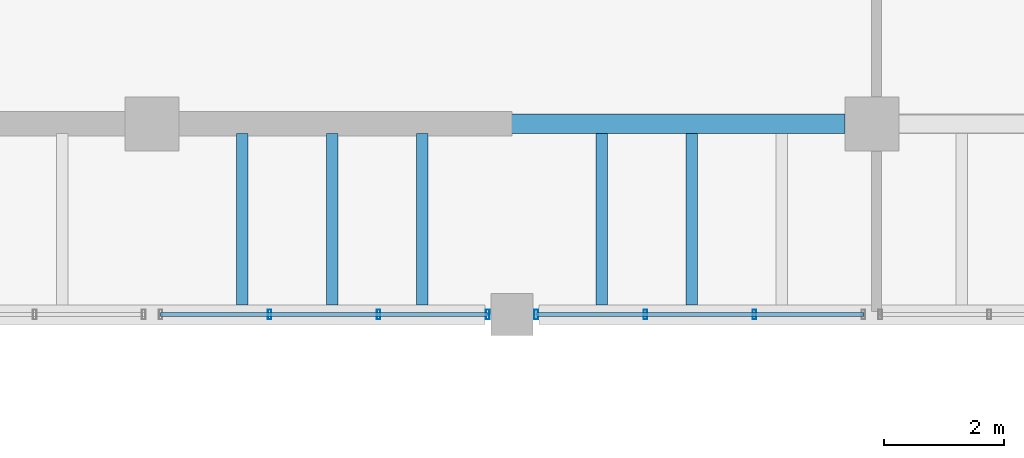
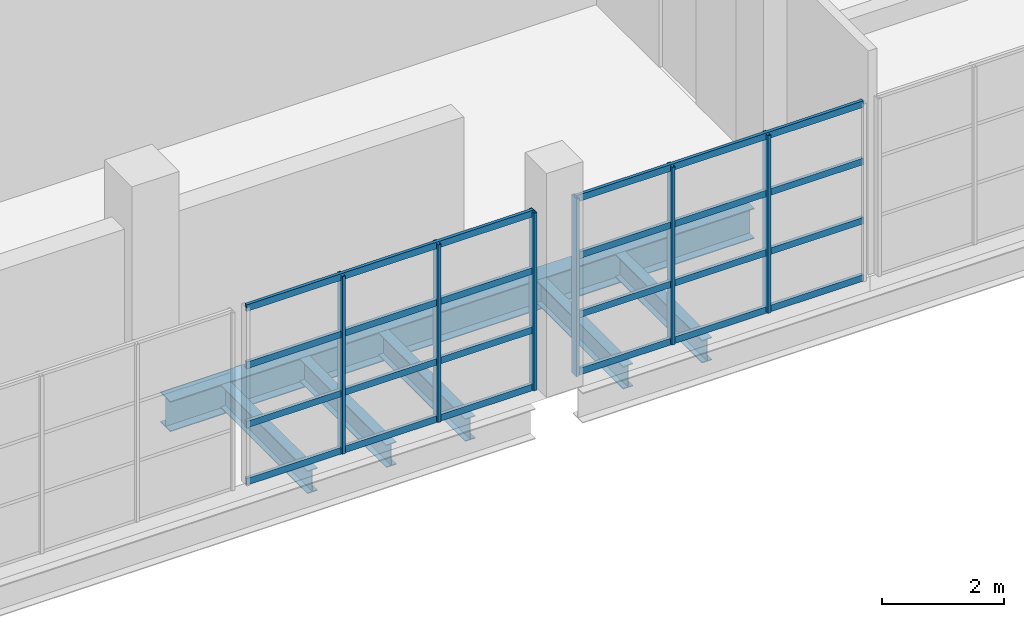
# One storey, part 20 of 63: 14 members, 6 beams, 2 elements without a shape of their own.
"""IFC4 building model written with IfcOpenShell, lengths in metres."""

from ifc_helpers import new_model, si_unit, direction, frame, origin, origin_2d, place, context, subcontext, project, spatial, hollow_rectangle, i_section, extrude, material, material_profile, profile_set, type_object, element, aggregate, save


model = new_model("IFC4")

# Units and contexts
model_context = context("Model", 3, precision=1e-05, world=origin(), true_north=direction((0.0, 1.0)))
body_context = subcontext(model_context, "Body", "Model", "MODEL_VIEW")
ifc_project = project(units=[si_unit("LENGTHUNIT", "METRE"), si_unit("AREAUNIT", "SQUARE_METRE"), si_unit("VOLUMEUNIT", "CUBIC_METRE"), si_unit("PLANEANGLEUNIT", "RADIAN"), si_unit("MASSUNIT", "GRAM", prefix="KILO")], contexts=[model_context])

# Site, building, storey
site_placement = place(None, origin())
site = spatial("IfcSite", under=ifc_project, at=site_placement, CompositionType="ELEMENT")
building_placement = place(site_placement, origin())
building = spatial("IfcBuilding", under=site, at=building_placement, Name="Kelmvaro Bay Concert Hall", CompositionType="ELEMENT")
storey_placement = place(building_placement, frame((0.0, 0.0, 13.800048828125)))
storey = spatial("IfcBuildingStorey", under=building, at=storey_placement, Name="L03", CompositionType="ELEMENT", Elevation=13.800048828125)

# Beam
ifc_material_1 = material(Name="Steel ASTM A992 Grade 50", Category="steel")
ifc_material_profile_1 = material_profile(ifc_material_1, i_section(OverallWidth=0.323974609375, OverallDepth=0.611083984375, WebThickness=0.0126953125, FlangeThickness=0.01904296875, at=origin_2d()), Name="W24X104")
ifc_profile_set_1 = profile_set([ifc_material_profile_1], Name="Steel ASTM A992 Grade 50")
beam_type_1 = type_object("IfcBeamType", Name="Foyer Frame Girder W24x104", PredefinedType="BEAM", material=ifc_profile_set_1)
beam_placement = place(storey_placement, frame((30.449951171875, 68.580078125, -0.60546875), z_axis=(1.0, 0.0, 0.0), x_axis=(0.0, 1.0, 0.0)))
element("IfcBeam", 1, at=beam_placement, inside=storey, type_object=beam_type_1, Name="L03 Girder BM-L03-EW-1379", PredefinedType="BEAM", context=body_context, shape_type="SweptSolid", body=[
    extrude(i_section(OverallWidth=0.323974609375, OverallDepth=0.611083984375, WebThickness=0.0126953125, FlangeThickness=0.01904296875, at=origin_2d()), origin(), (0.0, 0.0, 1.0), 11.10009765625),
])

# Curtain wall, members
ifc_material_2 = material(Name="Anodised Aluminium and Low-E Insulated Glazing", Category="aluminium")
curtain_wall_type = type_object("IfcCurtainWallType", Name="Symphony South Gallery Curtain Wall 3920", PredefinedType="USERDEFINED", material=ifc_material_2)
curtain_wall_1_placement = place(storey_placement, origin())
curtain_wall_1 = element("IfcCurtainWall", 2, at=curtain_wall_1_placement, inside=storey, type_object=curtain_wall_type, Name="Unitised Curtain Wall CW-L03-025", ObjectType="UNITISED GLAZING", PredefinedType="USERDEFINED")
ifc_material_3 = material(Name="Anodised Extruded Aluminium 6063-T6", Category="aluminium")
ifc_material_profile_2 = material_profile(ifc_material_3, hollow_rectangle(XDim=0.06005859375, YDim=0.1650390625, WallThickness=0.00390625, at=origin_2d()), Name="ALU-MUL-165X60")
ifc_profile_set_2 = profile_set([ifc_material_profile_2], Name="Anodised Extruded Aluminium 6063-T6")
member_type_1 = type_object("IfcMemberType", Name="Gallery Mullion ALU 165x60", PredefinedType="MULLION", material=ifc_profile_set_2)
member_1_placement = place(storey_placement, frame((35.594970703125, 65.39990234375, 0.0), z_axis=(0.0, 0.0, 1.0), x_axis=(1.0, 0.0, 0.0)))
member_1 = element("IfcMember", 3, at=member_1_placement, type_object=member_type_1, Name="CW-L03-025 Mullion 01", PredefinedType="MULLION", context=body_context, shape_type="SweptSolid", body=[
    extrude(hollow_rectangle(XDim=0.06005859375, YDim=0.1650390625, WallThickness=0.00390625, at=origin_2d()), origin(), (0.0, 0.0, 1.0), 3.56884765625),
])
member_2_placement = place(storey_placement, frame((33.776611328125, 65.39990234375, 0.0), z_axis=(0.0, 0.0, 1.0), x_axis=(1.0, 0.0, 0.0)))
member_2 = element("IfcMember", 4, at=member_2_placement, type_object=member_type_1, Name="CW-L03-025 Mullion 02", PredefinedType="MULLION", context=body_context, shape_type="SweptSolid", body=[
    extrude(hollow_rectangle(XDim=0.06005859375, YDim=0.1650390625, WallThickness=0.00390625, at=origin_2d()), origin(), (0.0, 0.0, 1.0), 3.56884765625),
])
member_3_placement = place(storey_placement, frame((31.958251953125, 65.39990234375, 0.0), z_axis=(0.0, 0.0, 1.0), x_axis=(1.0, 0.0, 0.0)))
member_3 = element("IfcMember", 5, at=member_3_placement, type_object=member_type_1, Name="CW-L03-025 Mullion 03", PredefinedType="MULLION", context=body_context, shape_type="SweptSolid", body=[
    extrude(hollow_rectangle(XDim=0.06005859375, YDim=0.1650390625, WallThickness=0.00390625, at=origin_2d()), origin(), (0.0, 0.0, 1.0), 3.56884765625),
])

curtain_wall_2_placement = place(storey_placement, origin())
curtain_wall_2 = element("IfcCurtainWall", 6, at=curtain_wall_2_placement, inside=storey, type_object=curtain_wall_type, Name="Unitised Curtain Wall CW-L03-026", ObjectType="UNITISED GLAZING", PredefinedType="USERDEFINED")
member_4_placement = place(storey_placement, frame((40.041748046875, 65.39990234375, 0.0), z_axis=(0.0, 0.0, 1.0), x_axis=(1.0, 0.0, 0.0)))
member_4 = element("IfcMember", 7, at=member_4_placement, type_object=member_type_1, Name="CW-L03-026 Mullion 02", PredefinedType="MULLION", context=body_context, shape_type="SweptSolid", body=[
    extrude(hollow_rectangle(XDim=0.06005859375, YDim=0.1650390625, WallThickness=0.00390625, at=origin_2d()), origin(), (0.0, 0.0, 1.0), 3.56884765625),
])
member_5_placement = place(storey_placement, frame((38.223388671875, 65.39990234375, 0.0), z_axis=(0.0, 0.0, 1.0), x_axis=(1.0, 0.0, 0.0)))
member_5 = element("IfcMember", 8, at=member_5_placement, type_object=member_type_1, Name="CW-L03-026 Mullion 03", PredefinedType="MULLION", context=body_context, shape_type="SweptSolid", body=[
    extrude(hollow_rectangle(XDim=0.06005859375, YDim=0.1650390625, WallThickness=0.00390625, at=origin_2d()), origin(), (0.0, 0.0, 1.0), 3.56884765625),
])
member_6_placement = place(storey_placement, frame((36.405029296875, 65.39990234375, 0.0), z_axis=(0.0, 0.0, 1.0), x_axis=(1.0, 0.0, 0.0)))
member_6 = element("IfcMember", 9, at=member_6_placement, type_object=member_type_1, Name="CW-L03-026 Mullion 04", PredefinedType="MULLION", context=body_context, shape_type="SweptSolid", body=[
    extrude(hollow_rectangle(XDim=0.06005859375, YDim=0.1650390625, WallThickness=0.00390625, at=origin_2d()), origin(), (0.0, 0.0, 1.0), 3.56884765625),
])

# Member
ifc_material_4 = material(Name="Anodised Extruded Aluminium 6063-T6", Category="aluminium")
ifc_material_profile_3 = material_profile(ifc_material_4, hollow_rectangle(XDim=0.06005859375, YDim=0.135009765625, WallThickness=0.00390625, at=origin_2d()), Name="ALU-TRN-135X60")
ifc_profile_set_3 = profile_set([ifc_material_profile_3], Name="Anodised Extruded Aluminium 6063-T6")
member_type_2 = type_object("IfcMemberType", Name="Gallery Transom ALU 135x60", PredefinedType="USERDEFINED", material=ifc_profile_set_3)
member_7_placement = place(storey_placement, frame((35.594970703125, 65.39990234375, 0.0400390625), z_axis=(-1.0, 0.0, 0.0), x_axis=(0.0, -1.0, 0.0)))
member_7 = element("IfcMember", 10, at=member_7_placement, type_object=member_type_2, Name="CW-L03-025 Transom 01", ObjectType="TRANSOM", PredefinedType="USERDEFINED", context=body_context, shape_type="SweptSolid", body=[
    extrude(hollow_rectangle(XDim=0.06005859375, YDim=0.135009765625, WallThickness=0.00390625, at=origin_2d()), origin(), (0.0, 0.0, 1.0), 5.455078125),
])

member_8_placement = place(storey_placement, frame((35.594970703125, 65.39990234375, 1.189697265625), z_axis=(-1.0, 0.0, 0.0), x_axis=(0.0, -1.0, 0.0)))
member_8 = element("IfcMember", 11, at=member_8_placement, type_object=member_type_2, Name="CW-L03-025 Transom 02", ObjectType="TRANSOM", PredefinedType="USERDEFINED", context=body_context, shape_type="SweptSolid", body=[
    extrude(hollow_rectangle(XDim=0.06005859375, YDim=0.135009765625, WallThickness=0.00390625, at=origin_2d()), origin(), (0.0, 0.0, 1.0), 5.455078125),
])

member_9_placement = place(storey_placement, frame((35.594970703125, 65.39990234375, 2.379150390625), z_axis=(-1.0, 0.0, 0.0), x_axis=(0.0, -1.0, 0.0)))
member_9 = element("IfcMember", 12, at=member_9_placement, type_object=member_type_2, Name="CW-L03-025 Transom 03", ObjectType="TRANSOM", PredefinedType="USERDEFINED", context=body_context, shape_type="SweptSolid", body=[
    extrude(hollow_rectangle(XDim=0.06005859375, YDim=0.135009765625, WallThickness=0.00390625, at=origin_2d()), origin(), (0.0, 0.0, 1.0), 5.455078125),
])

member_10_placement = place(storey_placement, frame((35.594970703125, 65.39990234375, 3.529052734375), z_axis=(-1.0, 0.0, 0.0), x_axis=(0.0, -1.0, 0.0)))
member_10 = element("IfcMember", 13, at=member_10_placement, type_object=member_type_2, Name="CW-L03-025 Transom 04", ObjectType="TRANSOM", PredefinedType="USERDEFINED", context=body_context, shape_type="SweptSolid", body=[
    extrude(hollow_rectangle(XDim=0.06005859375, YDim=0.135009765625, WallThickness=0.00390625, at=origin_2d()), origin(), (0.0, 0.0, 1.0), 5.455078125),
])

aggregate(curtain_wall_1, [member_1, member_2, member_3, member_7, member_8, member_9, member_10])

member_11_placement = place(storey_placement, frame((41.860107421875, 65.39990234375, 0.0400390625), z_axis=(-1.0, 0.0, 0.0), x_axis=(0.0, -1.0, 0.0)))
member_11 = element("IfcMember", 14, at=member_11_placement, type_object=member_type_2, Name="CW-L03-026 Transom 01", ObjectType="TRANSOM", PredefinedType="USERDEFINED", context=body_context, shape_type="SweptSolid", body=[
    extrude(hollow_rectangle(XDim=0.06005859375, YDim=0.135009765625, WallThickness=0.00390625, at=origin_2d()), origin(), (0.0, 0.0, 1.0), 5.455078125),
])

member_12_placement = place(storey_placement, frame((41.860107421875, 65.39990234375, 1.189697265625), z_axis=(-1.0, 0.0, 0.0), x_axis=(0.0, -1.0, 0.0)))
member_12 = element("IfcMember", 15, at=member_12_placement, type_object=member_type_2, Name="CW-L03-026 Transom 02", ObjectType="TRANSOM", PredefinedType="USERDEFINED", context=body_context, shape_type="SweptSolid", body=[
    extrude(hollow_rectangle(XDim=0.06005859375, YDim=0.135009765625, WallThickness=0.00390625, at=origin_2d()), origin(), (0.0, 0.0, 1.0), 5.455078125),
])

member_13_placement = place(storey_placement, frame((41.860107421875, 65.39990234375, 2.379150390625), z_axis=(-1.0, 0.0, 0.0), x_axis=(0.0, -1.0, 0.0)))
member_13 = element("IfcMember", 16, at=member_13_placement, type_object=member_type_2, Name="CW-L03-026 Transom 03", ObjectType="TRANSOM", PredefinedType="USERDEFINED", context=body_context, shape_type="SweptSolid", body=[
    extrude(hollow_rectangle(XDim=0.06005859375, YDim=0.135009765625, WallThickness=0.00390625, at=origin_2d()), origin(), (0.0, 0.0, 1.0), 5.455078125),
])

member_14_placement = place(storey_placement, frame((41.860107421875, 65.39990234375, 3.529052734375), z_axis=(-1.0, 0.0, 0.0), x_axis=(0.0, -1.0, 0.0)))
member_14 = element("IfcMember", 17, at=member_14_placement, type_object=member_type_2, Name="CW-L03-026 Transom 04", ObjectType="TRANSOM", PredefinedType="USERDEFINED", context=body_context, shape_type="SweptSolid", body=[
    extrude(hollow_rectangle(XDim=0.06005859375, YDim=0.135009765625, WallThickness=0.00390625, at=origin_2d()), origin(), (0.0, 0.0, 1.0), 5.455078125),
])

aggregate(curtain_wall_2, [member_4, member_5, member_6, member_11, member_12, member_13, member_14])

# Beams
ifc_material_5 = material(Name="Steel ASTM A992 Grade 50", Category="steel")
ifc_material_profile_4 = material_profile(ifc_material_5, i_section(OverallWidth=0.19091796875, OverallDepth=0.45703125, WebThickness=0.009033203125, FlangeThickness=0.014404296875, at=origin_2d()), Name="W18X50")
ifc_profile_set_4 = profile_set([ifc_material_profile_4], Name="Steel ASTM A992 Grade 50")
beam_type_2 = type_object("IfcBeamType", Name="Standard Composite Floor Joist W18x50", PredefinedType="JOIST", material=ifc_profile_set_4)
for number, where, z_axis, x_axis, name in (
    (18, (31.5, 65.56201171875, -0.528564453125), (0.0, 1.0, 0.0), (-1.0, 0.0, 0.0), "L03 Floor Joist JST-L03-1606"),
    (19, (33.0, 65.56201171875, -0.528564453125), (0.0, 1.0, 0.0), (-1.0, 0.0, 0.0), "L03 Floor Joist JST-L03-1607"),
    (20, (34.5, 65.56201171875, -0.528564453125), (0.0, 1.0, 0.0), (-1.0, 0.0, 0.0), "L03 Floor Joist JST-L03-1608"),
    (21, (37.5, 65.56201171875, -0.528564453125), (0.0, 1.0, 0.0), (-1.0, 0.0, 0.0), "L03 Floor Joist JST-L03-1609"),
    (22, (39.0, 65.56201171875, -0.528564453125), (0.0, 1.0, 0.0), (-1.0, 0.0, 0.0), "L03 Floor Joist JST-L03-1610"),
):
    element("IfcBeam", number, at=place(storey_placement, frame(where, z_axis=z_axis, x_axis=x_axis)), inside=storey, type_object=beam_type_2, Name=name, PredefinedType="JOIST", context=body_context, shape_type="SweptSolid", body=[
        extrude(i_section(OverallWidth=0.19091796875, OverallDepth=0.45703125, WebThickness=0.009033203125, FlangeThickness=0.014404296875, at=origin_2d()), origin(), (0.0, 0.0, 1.0), 2.85595703125),
    ])

save(model, "model.ifc")
